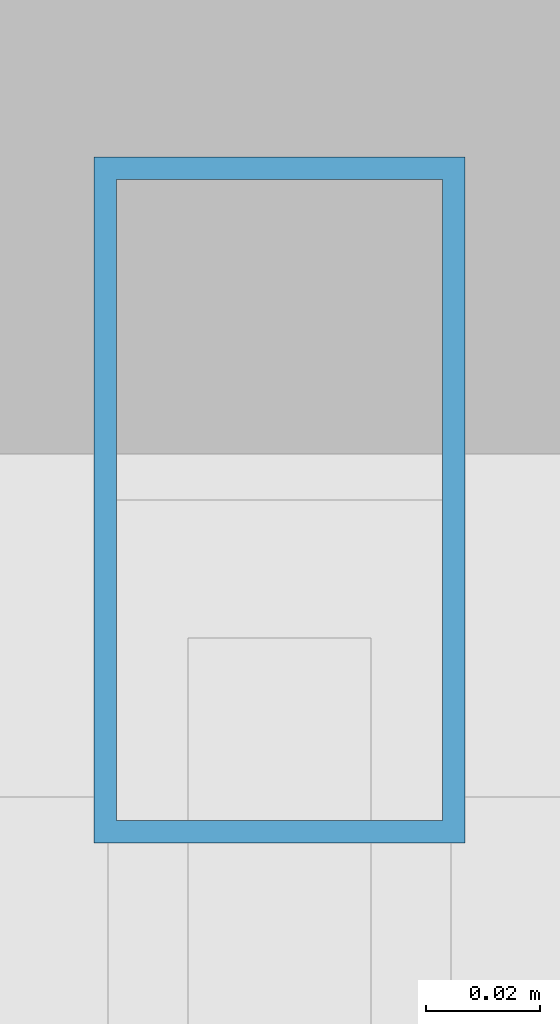
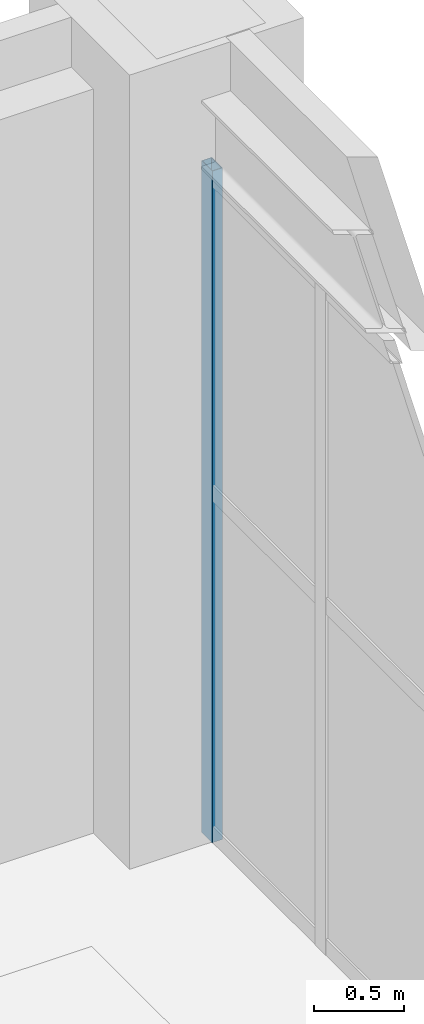
# One storey, part 111 of 164: 1 member, 1 element without a shape of its own.
"""IFC4 building model written with IfcOpenShell, lengths in metres."""

from ifc_helpers import new_model, si_unit, direction, frame, origin, origin_2d, place, context, subcontext, project, spatial, hollow_rectangle, extrude, material, material_profile, profile_set, type_object, element, aggregate, save


model = new_model("IFC4")

# Units and contexts
model_context = context("Model", 3, precision=1e-05, world=origin(), true_north=direction((0.0, 1.0)))
body_context = subcontext(model_context, "Body", "Model", "MODEL_VIEW")
ifc_project = project(units=[si_unit("LENGTHUNIT", "METRE"), si_unit("AREAUNIT", "SQUARE_METRE"), si_unit("VOLUMEUNIT", "CUBIC_METRE"), si_unit("PLANEANGLEUNIT", "RADIAN"), si_unit("MASSUNIT", "GRAM", prefix="KILO")], contexts=[model_context])

# Site, building, storey
site_placement = place(None, origin())
site = spatial("IfcSite", under=ifc_project, at=site_placement, CompositionType="ELEMENT")
building_placement = place(site_placement, origin())
building = spatial("IfcBuilding", under=site, at=building_placement, Name="Mavantir Sound Aquarium", CompositionType="ELEMENT")
storey_placement = place(building_placement, origin())
storey = spatial("IfcBuildingStorey", under=building, at=storey_placement, Name="L00", CompositionType="ELEMENT", Elevation=0.0)

# Curtain wall, member
ifc_material_1 = material(Name="Anodised Marine Aluminium and Low-E Glass", Category="aluminium")
curtain_wall_type = type_object("IfcCurtainWallType", Name="CW-T14", PredefinedType="USERDEFINED", material=ifc_material_1)
curtain_wall_placement = place(storey_placement, origin())
curtain_wall = element("IfcCurtainWall", 1, at=curtain_wall_placement, inside=storey, type_object=curtain_wall_type, Name="L00 unitised curtain wall CW-14 14", ObjectType="UNITISED GLAZING", PredefinedType="USERDEFINED")
ifc_material_2 = material(Name="Anodised Marine Aluminium 6063-T6", Category="aluminium")
ifc_material_profile = material_profile(ifc_material_2, hollow_rectangle(XDim=0.06494140625, YDim=0.1201171875, WallThickness=0.00390625, at=origin_2d()), Name="ALU-MULLION-120X65")
ifc_profile_set = profile_set([ifc_material_profile], Name="Anodised Marine Aluminium 6063-T6")
member_type = type_object("IfcMemberType", Name="CW-MUL-120", PredefinedType="MULLION", material=ifc_profile_set)
member_placement = place(storey_placement, frame((146.39990234375, 80.092041015625, 0.0), z_axis=(0.0, 0.0, 1.0), x_axis=(1.0, 0.0, 0.0)))
member = element("IfcMember", 2, at=member_placement, type_object=member_type, Name="CW-L00-014 vertical mullion 4", PredefinedType="MULLION", context=body_context, shape_type="SweptSolid", body=[
    extrude(hollow_rectangle(XDim=0.06494140625, YDim=0.1201171875, WallThickness=0.00390625, at=origin_2d()), origin(), (0.0, 0.0, 1.0), 4.56689453125),
])
aggregate(curtain_wall, [member])

save(model, "model.ifc")
